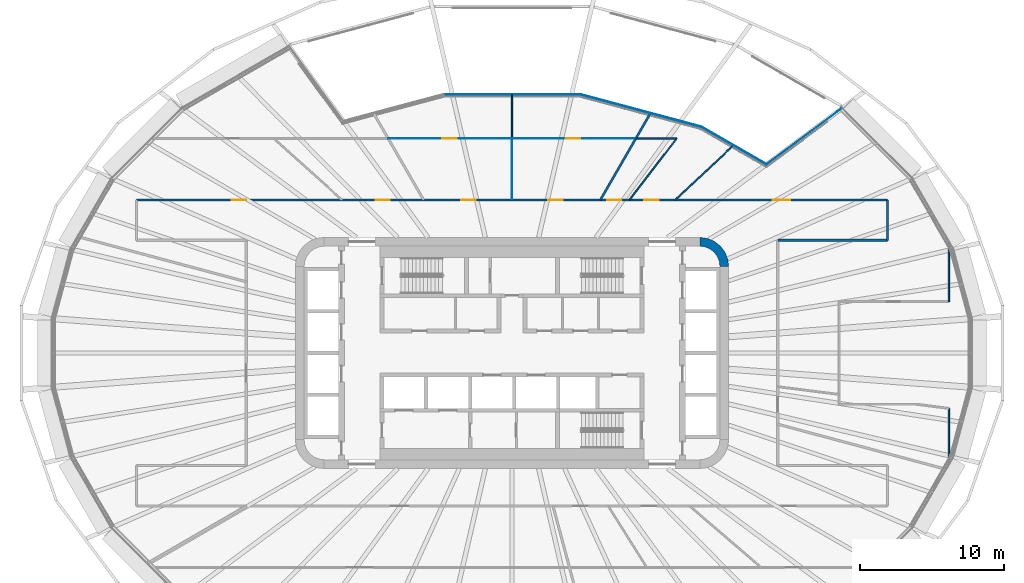
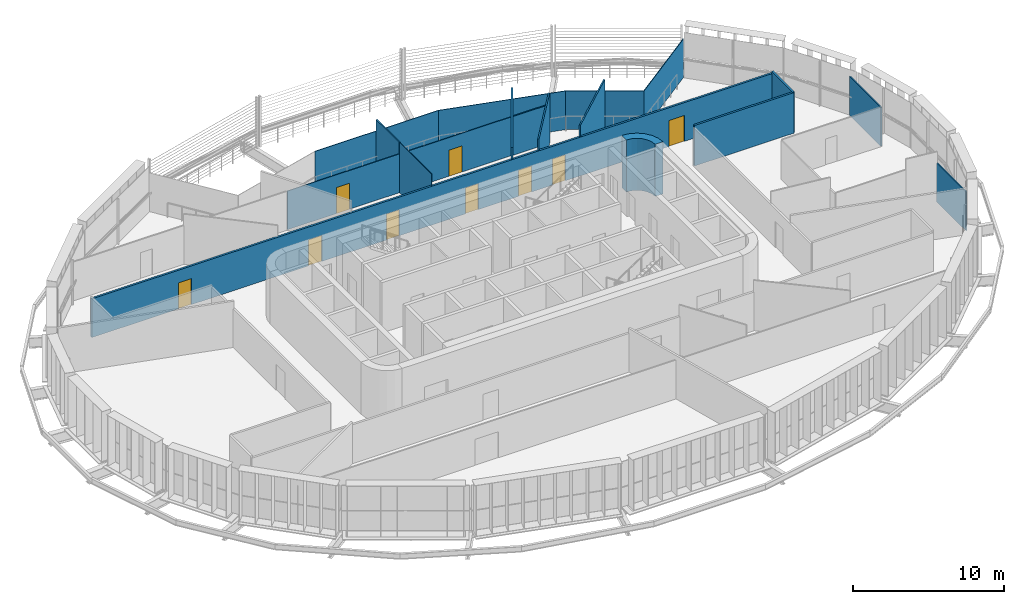
# One storey, part 16 of 24: 17 walls, 9 doors, 9 openings.
"""IFC4 building model written with IfcOpenShell, lengths in metres."""

from ifc_helpers import new_model, si_unit, direction, frame, frame_2d, origin, place, context, subcontext, project, spatial, polyline, rectangle, outline, extrude, material, layer, layer_set, type_object, element, fill, save


model = new_model("IFC4")

# Units and contexts
model_context = context("Model", 3, precision=1e-05, world=origin(), true_north=direction((0.0, 1.0)))
body_context = subcontext(model_context, "Body", "Model", "MODEL_VIEW")
ifc_project = project(units=[si_unit("LENGTHUNIT", "METRE"), si_unit("AREAUNIT", "SQUARE_METRE"), si_unit("VOLUMEUNIT", "CUBIC_METRE"), si_unit("PLANEANGLEUNIT", "RADIAN"), si_unit("MASSUNIT", "GRAM", prefix="KILO")], contexts=[model_context])

# Site, building, storey
site_placement = place(None, origin())
site = spatial("IfcSite", under=ifc_project, at=site_placement, CompositionType="ELEMENT")
building_placement = place(site_placement, origin())
building = spatial("IfcBuilding", under=site, at=building_placement, Name="Sahrelin Media Tower", CompositionType="ELEMENT")
storey_placement = place(building_placement, frame((0.0, 0.0, 123.0)))
storey = spatial("IfcBuildingStorey", under=building, at=storey_placement, Name="L24", CompositionType="ELEMENT", Elevation=123.0)

# Walls
ifc_material_1 = material(Name="Concrete C60/75", Category="concrete")
ifc_layer_1 = layer(ifc_material_1, 0.60009765625)
ifc_layer_set_1 = layer_set([ifc_layer_1], Name="Core wall 600")
wall_type_1 = type_object("IfcWallType", Name="Core wall 600", PredefinedType="SHEAR", material=ifc_layer_set_1)
wall_1_placement = place(storey_placement, origin())
element("IfcWall", 1, at=wall_1_placement, inside=storey, type_object=wall_type_1, Name="Core wall corner NE L24", PredefinedType="SHEAR", context=body_context, shape_type="SweptSolid", body=[
    extrude(outline(polyline([(13.0, 8.0), (13.0, 7.394775390625), (13.361083984375, 7.347412109375), (13.697509765625, 7.2080078125), (13.986328125, 6.986328125), (14.2080078125, 6.697509765625), (14.347412109375, 6.361083984375), (14.394775390625, 6.0), (15.0, 6.0), (14.931884765625, 6.517578125), (14.732177734375, 7.0), (14.414306640625, 7.414306640625), (14.0, 7.732177734375), (13.517578125, 7.931884765625), (13.0, 8.0)])), origin(), (0.0, 0.0, 1.0), 4.199951171875),
])
ifc_material_2 = material(Name="Fire-rated gypsum board partition")
ifc_layer_2 = layer(ifc_material_2, 0.14990234375)
ifc_layer_set_2 = layer_set([ifc_layer_2], Name="Fire-rated partition 150")
wall_type_2 = type_object("IfcWallType", Name="Fire-rated partition 150", PredefinedType="PARTITIONING", material=ifc_layer_set_2)
wall_2_placement = place(storey_placement, frame((18.39990234375, 7.800048828125, 0.0), z_axis=(0.0, 0.0, 1.0), x_axis=(1.0, 0.0, 0.0)))
element("IfcWall", 2, at=wall_2_placement, inside=storey, type_object=wall_type_2, Name="Wall", PredefinedType="PARTITIONING", context=body_context, shape_type="SweptSolid", body=[
    extrude(rectangle(XDim=7.60009765625, YDim=0.14990234375, at=frame_2d((3.800048828125, 0.0))), origin(), (0.0, 0.0, 1.0), 3.27587890625),
])

# Wall, openings, doors
wall_3_placement = place(storey_placement, frame((-26.0, 10.60009765625, 0.0), z_axis=(0.0, 0.0, 1.0), x_axis=(1.0, 0.0, 0.0)))
wall_3 = element("IfcWall", 3, at=wall_3_placement, inside=storey, type_object=wall_type_2, Name="Wall", PredefinedType="PARTITIONING", context=body_context, shape_type="SweptSolid", body=[
    extrude(rectangle(XDim=52.0, YDim=0.14990234375, at=frame_2d((26.0, 0.0))), origin(), (0.0, 0.0, 1.0), 3.126953125),
])
opening_1_placement = place(wall_3_placement, frame((44.052978515625, 0.0, 0.0)))
opening_1 = element("IfcOpeningElement", 4, at=opening_1_placement, cuts=wall_3, Name="Opening L24-D30", PredefinedType="OPENING", context=body_context, shape_type="SweptSolid", body=[
    extrude(rectangle(XDim=1.199951171875, YDim=2.10009765625, at=frame_2d((0.60009765625, 1.050048828125))), frame((0.0, 0.074951171875, 0.0), z_axis=(0.0, -1.0, 0.0), x_axis=(1.0, 0.0, 0.0)), (0.0, 0.0, 1.0), 0.14990234375),
])
opening_2_placement = place(wall_3_placement, frame((35.168212890625, 0.0, 0.0)))
opening_2 = element("IfcOpeningElement", 5, at=opening_2_placement, cuts=wall_3, Name="Opening L24-D31", PredefinedType="OPENING", context=body_context, shape_type="SweptSolid", body=[
    extrude(rectangle(XDim=1.0, YDim=2.10009765625, at=frame_2d((0.5, 1.050048828125))), frame((0.0, 0.074951171875, 0.0), z_axis=(0.0, -1.0, 0.0), x_axis=(1.0, 0.0, 0.0)), (0.0, 0.0, 1.0), 0.14990234375),
])
opening_3_placement = place(wall_3_placement, frame((32.5771484375, 0.0, 0.0)))
opening_3 = element("IfcOpeningElement", 6, at=opening_3_placement, cuts=wall_3, Name="Opening L24-D32", PredefinedType="OPENING", context=body_context, shape_type="SweptSolid", body=[
    extrude(rectangle(XDim=1.0, YDim=2.10009765625, at=frame_2d((0.5, 1.050048828125))), frame((0.0, 0.074951171875, 0.0), z_axis=(0.0, -1.0, 0.0), x_axis=(1.0, 0.0, 0.0)), (0.0, 0.0, 1.0), 0.14990234375),
])
opening_4_placement = place(wall_3_placement, frame((28.509765625, 0.0, 0.0)))
opening_4 = element("IfcOpeningElement", 7, at=opening_4_placement, cuts=wall_3, Name="Opening L24-D34", PredefinedType="OPENING", context=body_context, shape_type="SweptSolid", body=[
    extrude(rectangle(XDim=1.0, YDim=2.10009765625, at=frame_2d((0.5, 1.050048828125))), frame((0.0, 0.074951171875, 0.0), z_axis=(0.0, -1.0, 0.0), x_axis=(1.0, 0.0, 0.0)), (0.0, 0.0, 1.0), 0.14990234375),
])
opening_5_placement = place(wall_3_placement, frame((22.490234375, 0.0, 0.0)))
opening_5 = element("IfcOpeningElement", 8, at=opening_5_placement, cuts=wall_3, Name="Opening L24-D35", PredefinedType="OPENING", context=body_context, shape_type="SweptSolid", body=[
    extrude(rectangle(XDim=1.0, YDim=2.10009765625, at=frame_2d((0.5, 1.050048828125))), frame((0.0, 0.074951171875, 0.0), z_axis=(0.0, -1.0, 0.0), x_axis=(1.0, 0.0, 0.0)), (0.0, 0.0, 1.0), 0.14990234375),
])
opening_6_placement = place(wall_3_placement, frame((16.553955078125, 0.0, 0.0)))
opening_6 = element("IfcOpeningElement", 9, at=opening_6_placement, cuts=wall_3, Name="Opening L24-D38", PredefinedType="OPENING", context=body_context, shape_type="SweptSolid", body=[
    extrude(rectangle(XDim=1.0, YDim=2.10009765625, at=frame_2d((0.5, 1.050048828125))), frame((0.0, 0.074951171875, 0.0), z_axis=(0.0, -1.0, 0.0), x_axis=(1.0, 0.0, 0.0)), (0.0, 0.0, 1.0), 0.14990234375),
])
opening_7_placement = place(wall_3_placement, frame((6.614013671875, 0.0, 0.0)))
opening_7 = element("IfcOpeningElement", 10, at=opening_7_placement, cuts=wall_3, Name="Opening L24-D39", PredefinedType="OPENING", context=body_context, shape_type="SweptSolid", body=[
    extrude(rectangle(XDim=1.0, YDim=2.10009765625, at=frame_2d((0.5, 1.050048828125))), frame((0.0, 0.074951171875, 0.0), z_axis=(0.0, -1.0, 0.0), x_axis=(1.0, 0.0, 0.0)), (0.0, 0.0, 1.0), 0.14990234375),
])
ifc_material_3 = material(Name="Steel fire door leaf", Category="steel")
door_type_1 = type_object("IfcDoorType", Name="Fire door 1000 x 2100 EI 60", OperationType="NOTDEFINED", PredefinedType="DOOR", material=ifc_material_3)
door_1_placement = place(opening_2_placement, origin())
door_1 = element("IfcDoor", 11, at=door_1_placement, inside=storey, type_object=door_type_1, Name="Fire door", OperationType="SINGLE_SWING_RIGHT", OverallHeight=2.10009765625, OverallWidth=1.0, PredefinedType="DOOR", context=body_context, shape_type="SweptSolid", body=[
    extrude(rectangle(XDim=1.0, YDim=2.10009765625, at=frame_2d((0.5, 1.050048828125))), frame((0.0, 0.02490234375, 0.0), z_axis=(0.0, -1.0, 0.0), x_axis=(1.0, 0.0, 0.0)), (0.0, 0.0, 1.0), 0.050048828125),
])
fill(opening_2, door_1)
door_2_placement = place(opening_3_placement, origin())
door_2 = element("IfcDoor", 12, at=door_2_placement, inside=storey, type_object=door_type_1, Name="Fire door", OperationType="SINGLE_SWING_LEFT", OverallHeight=2.10009765625, OverallWidth=1.0, PredefinedType="DOOR", context=body_context, shape_type="SweptSolid", body=[
    extrude(rectangle(XDim=1.0, YDim=2.10009765625, at=frame_2d((0.5, 1.050048828125))), frame((0.0, 0.02490234375, 0.0), z_axis=(0.0, -1.0, 0.0), x_axis=(1.0, 0.0, 0.0)), (0.0, 0.0, 1.0), 0.050048828125),
])
fill(opening_3, door_2)
door_3_placement = place(opening_4_placement, origin())
door_3 = element("IfcDoor", 13, at=door_3_placement, inside=storey, type_object=door_type_1, Name="Fire door", OperationType="SINGLE_SWING_LEFT", OverallHeight=2.10009765625, OverallWidth=1.0, PredefinedType="DOOR", context=body_context, shape_type="SweptSolid", body=[
    extrude(rectangle(XDim=1.0, YDim=2.10009765625, at=frame_2d((0.5, 1.050048828125))), frame((0.0, 0.02490234375, 0.0), z_axis=(0.0, -1.0, 0.0), x_axis=(1.0, 0.0, 0.0)), (0.0, 0.0, 1.0), 0.050048828125),
])
fill(opening_4, door_3)
door_4_placement = place(opening_5_placement, origin())
door_4 = element("IfcDoor", 14, at=door_4_placement, inside=storey, type_object=door_type_1, Name="Fire door", OperationType="SINGLE_SWING_RIGHT", OverallHeight=2.10009765625, OverallWidth=1.0, PredefinedType="DOOR", context=body_context, shape_type="SweptSolid", body=[
    extrude(rectangle(XDim=1.0, YDim=2.10009765625, at=frame_2d((0.5, 1.050048828125))), frame((0.0, 0.02490234375, 0.0), z_axis=(0.0, -1.0, 0.0), x_axis=(1.0, 0.0, 0.0)), (0.0, 0.0, 1.0), 0.050048828125),
])
fill(opening_5, door_4)
door_5_placement = place(opening_6_placement, origin())
door_5 = element("IfcDoor", 15, at=door_5_placement, inside=storey, type_object=door_type_1, Name="Fire door", OperationType="SINGLE_SWING_RIGHT", OverallHeight=2.10009765625, OverallWidth=1.0, PredefinedType="DOOR", context=body_context, shape_type="SweptSolid", body=[
    extrude(rectangle(XDim=1.0, YDim=2.10009765625, at=frame_2d((0.5, 1.050048828125))), frame((0.0, 0.02490234375, 0.0), z_axis=(0.0, -1.0, 0.0), x_axis=(1.0, 0.0, 0.0)), (0.0, 0.0, 1.0), 0.050048828125),
])
fill(opening_6, door_5)
door_6_placement = place(opening_7_placement, origin())
door_6 = element("IfcDoor", 16, at=door_6_placement, inside=storey, type_object=door_type_1, Name="Fire door", OperationType="SINGLE_SWING_RIGHT", OverallHeight=2.10009765625, OverallWidth=1.0, PredefinedType="DOOR", context=body_context, shape_type="SweptSolid", body=[
    extrude(rectangle(XDim=1.0, YDim=2.10009765625, at=frame_2d((0.5, 1.050048828125))), frame((0.0, 0.02490234375, 0.0), z_axis=(0.0, -1.0, 0.0), x_axis=(1.0, 0.0, 0.0)), (0.0, 0.0, 1.0), 0.050048828125),
])
fill(opening_7, door_6)
door_type_2 = type_object("IfcDoorType", Name="Service double door 1200 x 2100 EI 60", OperationType="DOUBLE_DOOR_SINGLE_SWING", PredefinedType="DOOR", material=ifc_material_3)
door_7_placement = place(opening_1_placement, origin())
door_7 = element("IfcDoor", 17, at=door_7_placement, inside=storey, type_object=door_type_2, Name="Service double door", OperationType="DOUBLE_DOOR_SINGLE_SWING", OverallHeight=2.10009765625, OverallWidth=1.199951171875, PredefinedType="DOOR", context=body_context, shape_type="SweptSolid", body=[
    extrude(rectangle(XDim=1.199951171875, YDim=2.10009765625, at=frame_2d((0.60009765625, 1.050048828125))), frame((0.0, 0.02490234375, 0.0), z_axis=(0.0, -1.0, 0.0), x_axis=(1.0, 0.0, 0.0)), (0.0, 0.0, 1.0), 0.050048828125),
])
fill(opening_1, door_7)

# Walls
wall_4_placement = place(storey_placement, frame((6.1201171875, 10.60009765625, 0.0), z_axis=(0.0, 0.0, 1.0), x_axis=(0.500029687554, 0.866008262989, 0.0)))
element("IfcWall", 18, at=wall_4_placement, inside=storey, type_object=wall_type_2, Name="Wall", PredefinedType="PARTITIONING", context=body_context, shape_type="SweptSolid", body=[
    extrude(rectangle(XDim=6.92431640625, YDim=0.14990234375, at=frame_2d((3.462158203125, 0.0))), origin(), (0.0, 0.0, 1.0), 4.050048828125),
])
wall_5_placement = place(storey_placement, frame((26.0, 7.800048828125, 0.0), z_axis=(0.0, 0.0, 1.0), x_axis=(0.0, 1.0, 0.0)))
element("IfcWall", 19, at=wall_5_placement, inside=storey, type_object=wall_type_2, Name="Wall", PredefinedType="PARTITIONING", context=body_context, shape_type="SweptSolid", body=[
    extrude(rectangle(XDim=2.800048828125, YDim=0.14990234375, at=frame_2d((1.39990234375, 0.0))), origin(), (0.0, 0.0, 1.0), 3.27587890625),
])
ifc_material_4 = material(Name="Clear glass", Category="glass")
ifc_layer_3 = layer(ifc_material_4, 0.050048828125)
ifc_layer_set_3 = layer_set([ifc_layer_3], Name="Glazed partition 50")
wall_type_3 = type_object("IfcWallType", Name="Glazed partition 50", PredefinedType="PARTITIONING", material=ifc_layer_set_3)
wall_6_placement = place(storey_placement, frame((13.118896484375, 15.64892578125, 0.0), z_axis=(0.0, 0.0, 1.0), x_axis=(0.866054574236, -0.499949471892, 0.0)))
element("IfcWall", 20, at=wall_6_placement, inside=storey, type_object=wall_type_3, Name="Wall", PredefinedType="PARTITIONING", context=body_context, shape_type="SweptSolid", body=[
    extrude(rectangle(XDim=5.18212890625, YDim=0.050048828125, at=frame_2d((2.591064453125, 0.0))), origin(), (0.0, 0.0, 1.0), 3.126953125),
])
wall_7_placement = place(storey_placement, frame((4.72412109375, 17.89892578125, 0.0), z_axis=(0.0, 0.0, 1.0), x_axis=(0.965907796442, -0.258886324037, 0.0)))
element("IfcWall", 21, at=wall_7_placement, inside=storey, type_object=wall_type_3, Name="Wall", PredefinedType="PARTITIONING", context=body_context, shape_type="SweptSolid", body=[
    extrude(rectangle(XDim=8.691162109375, YDim=0.050048828125, at=frame_2d((4.345703125, 0.0))), origin(), (0.0, 0.0, 1.0), 3.126953125),
])

# Wall, openings, doors
wall_8_placement = place(storey_placement, frame((-8.572998046875, 14.85009765625, 0.0), z_axis=(0.0, 0.0, 1.0), x_axis=(1.0, 0.0, 0.0)))
wall_8 = element("IfcWall", 22, at=wall_8_placement, inside=storey, type_object=wall_type_3, Name="Wall", PredefinedType="PARTITIONING", context=body_context, shape_type="SweptSolid", body=[
    extrude(rectangle(XDim=17.14599609375, YDim=0.050048828125, at=frame_2d((8.572998046875, 0.0))), origin(), (0.0, 0.0, 1.0), 3.126953125),
])
opening_8_placement = place(wall_8_placement, frame((12.308837890625, 0.0, 0.0)))
opening_8 = element("IfcOpeningElement", 23, at=opening_8_placement, cuts=wall_8, Name="Opening L24-D36", PredefinedType="OPENING", context=body_context, shape_type="SweptSolid", body=[
    extrude(rectangle(XDim=1.0, YDim=2.10009765625, at=frame_2d((0.5, 1.050048828125))), frame((0.0, 0.02490234375, 0.0), z_axis=(0.0, -1.0, 0.0), x_axis=(1.0, 0.0, 0.0)), (0.0, 0.0, 1.0), 0.050048828125),
])
opening_9_placement = place(wall_8_placement, frame((3.73583984375, 0.0, 0.0)))
opening_9 = element("IfcOpeningElement", 24, at=opening_9_placement, cuts=wall_8, Name="Opening L24-D37", PredefinedType="OPENING", context=body_context, shape_type="SweptSolid", body=[
    extrude(rectangle(XDim=1.0, YDim=2.10009765625, at=frame_2d((0.5, 1.050048828125))), frame((0.0, 0.02490234375, 0.0), z_axis=(0.0, -1.0, 0.0), x_axis=(1.0, 0.0, 0.0)), (0.0, 0.0, 1.0), 0.050048828125),
])
door_type_3 = type_object("IfcDoorType", Name="Glazed door 1000 x 2100", OperationType="NOTDEFINED", PredefinedType="DOOR", material=ifc_material_4)
door_8_placement = place(opening_8_placement, origin())
door_8 = element("IfcDoor", 25, at=door_8_placement, inside=storey, type_object=door_type_3, Name="Glazed door", OperationType="SINGLE_SWING_RIGHT", OverallHeight=2.10009765625, OverallWidth=1.0, PredefinedType="DOOR", context=body_context, shape_type="SweptSolid", body=[
    extrude(rectangle(XDim=1.0, YDim=2.10009765625, at=frame_2d((0.5, 1.050048828125))), frame((0.0, 0.02490234375, 0.0), z_axis=(0.0, -1.0, 0.0), x_axis=(1.0, 0.0, 0.0)), (0.0, 0.0, 1.0), 0.049560546875),
])
fill(opening_8, door_8)
door_9_placement = place(opening_9_placement, origin())
door_9 = element("IfcDoor", 26, at=door_9_placement, inside=storey, type_object=door_type_3, Name="Glazed door", OperationType="SINGLE_SWING_RIGHT", OverallHeight=2.10009765625, OverallWidth=1.0, PredefinedType="DOOR", context=body_context, shape_type="SweptSolid", body=[
    extrude(rectangle(XDim=1.0, YDim=2.10009765625, at=frame_2d((0.5, 1.050048828125))), frame((0.0, 0.02490234375, 0.0), z_axis=(0.0, -1.0, 0.0), x_axis=(1.0, 0.0, 0.0)), (0.0, 0.0, 1.0), 0.049560546875),
])
fill(opening_9, door_9)

# Walls
wall_9_placement = place(storey_placement, frame((-4.72412109375, 17.89892578125, 0.0), z_axis=(0.0, 0.0, 1.0), x_axis=(1.0, 0.0, 0.0)))
element("IfcWall", 27, at=wall_9_placement, inside=storey, type_object=wall_type_3, Name="Wall", PredefinedType="PARTITIONING", context=body_context, shape_type="SweptSolid", body=[
    extrude(rectangle(XDim=9.4482421875, YDim=0.050048828125, at=frame_2d((4.72412109375, 0.0))), origin(), (0.0, 0.0, 1.0), 3.126953125),
])
wall_10_placement = place(storey_placement, frame((17.60693359375, 13.05810546875, 0.0), z_axis=(0.0, 0.0, 1.0), x_axis=(0.803142977869, 0.595786335107, 0.0)))
element("IfcWall", 28, at=wall_10_placement, inside=storey, type_object=wall_type_3, Name="Wall", PredefinedType="PARTITIONING", context=body_context, shape_type="SweptSolid", body=[
    extrude(rectangle(XDim=6.539306640625, YDim=0.050048828125, at=frame_2d((3.26953125, 0.0))), origin(), (0.0, 0.0, 1.0), 3.126953125),
])
wall_11_placement = place(storey_placement, frame((0.0, 10.60009765625, 0.0), z_axis=(0.0, 0.0, 1.0), x_axis=(0.0, 1.0, 0.0)))
element("IfcWall", 29, at=wall_11_placement, inside=storey, type_object=wall_type_3, Name="Wall", PredefinedType="PARTITIONING", context=body_context, shape_type="SweptSolid", body=[
    extrude(rectangle(XDim=4.25, YDim=0.050048828125, at=frame_2d((2.125, 0.0))), origin(), (0.0, 0.0, 1.0), 4.050048828125),
])
ifc_material_5 = material(Name="Gypsum board partition")
ifc_layer_4 = layer(ifc_material_5, 0.10009765625)
ifc_layer_set_4 = layer_set([ifc_layer_4], Name="Partition 100")
wall_type_4 = type_object("IfcWallType", Name="Partition 100", PredefinedType="PARTITIONING", material=ifc_layer_set_4)
wall_12_placement = place(storey_placement, frame((8.572998046875, 14.85009765625, 0.0), z_axis=(0.0, 0.0, 1.0), x_axis=(1.0, 0.0, 0.0)))
element("IfcWall", 30, at=wall_12_placement, inside=storey, type_object=wall_type_4, Name="Wall", PredefinedType="PARTITIONING", context=body_context, shape_type="SweptSolid", body=[
    extrude(rectangle(XDim=2.827880859375, YDim=0.10009765625, at=frame_2d((1.4140625, 0.0))), origin(), (0.0, 0.0, 1.0), 3.126953125),
])
wall_13_placement = place(storey_placement, frame((11.305908203125, 10.60009765625, 0.0), z_axis=(0.0, 0.0, 1.0), x_axis=(0.72951097982, 0.683969100415, 0.0)))
element("IfcWall", 31, at=wall_13_placement, inside=storey, type_object=wall_type_4, Name="Wall", PredefinedType="PARTITIONING", context=body_context, shape_type="SweptSolid", body=[
    extrude(rectangle(XDim=5.516357421875, YDim=0.10009765625, at=frame_2d((2.75830078125, 0.0))), origin(), (0.0, 0.0, 1.0), 4.050048828125),
])
wall_14_placement = place(storey_placement, frame((8.137939453125, 10.60009765625, 0.0), z_axis=(0.0, 0.0, 1.0), x_axis=(0.608972822202, 0.793191087834, 0.0)))
element("IfcWall", 32, at=wall_14_placement, inside=storey, type_object=wall_type_4, Name="Wall", PredefinedType="PARTITIONING", context=body_context, shape_type="SweptSolid", body=[
    extrude(rectangle(XDim=5.358154296875, YDim=0.10009765625, at=frame_2d((2.67919921875, 0.0))), origin(), (0.0, 0.0, 1.0), 4.050048828125),
])
wall_15_placement = place(storey_placement, frame((30.25, -7.712890625, 0.0), z_axis=(0.0, 0.0, 1.0), x_axis=(0.0, 1.0, 0.0)))
element("IfcWall", 33, at=wall_15_placement, inside=storey, type_object=wall_type_4, Name="Wall", PredefinedType="PARTITIONING", context=body_context, shape_type="SweptSolid", body=[
    extrude(rectangle(XDim=3.8779296875, YDim=0.10009765625, at=frame_2d((1.93896484375, 0.0))), origin(), (0.0, 0.0, 1.0), 3.126953125),
])
wall_16_placement = place(storey_placement, frame((30.25, 3.550048828125, 0.0), z_axis=(0.0, 0.0, 1.0), x_axis=(0.0, 1.0, 0.0)))
element("IfcWall", 34, at=wall_16_placement, inside=storey, type_object=wall_type_4, Name="Wall", PredefinedType="PARTITIONING", context=body_context, shape_type="SweptSolid", body=[
    extrude(rectangle(XDim=4.162841796875, YDim=0.10009765625, at=frame_2d((2.08154296875, 0.0))), origin(), (0.0, 0.0, 1.0), 3.126953125),
])
wall_17_placement = place(storey_placement, frame((0.0, 14.85009765625, 0.0), z_axis=(0.0, 0.0, 1.0), x_axis=(0.0, 1.0, 0.0)))
element("IfcWall", 35, at=wall_17_placement, inside=storey, type_object=wall_type_4, Name="Wall", PredefinedType="PARTITIONING", context=body_context, shape_type="SweptSolid", body=[
    extrude(rectangle(XDim=3.048828125, YDim=0.10009765625, at=frame_2d((1.5244140625, 0.0))), origin(), (0.0, 0.0, 1.0), 4.050048828125),
])

save(model, "model.ifc")
